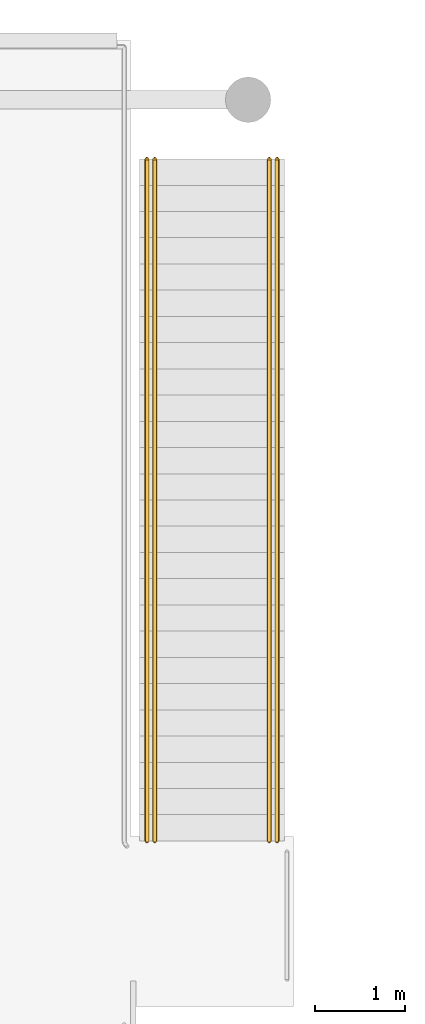
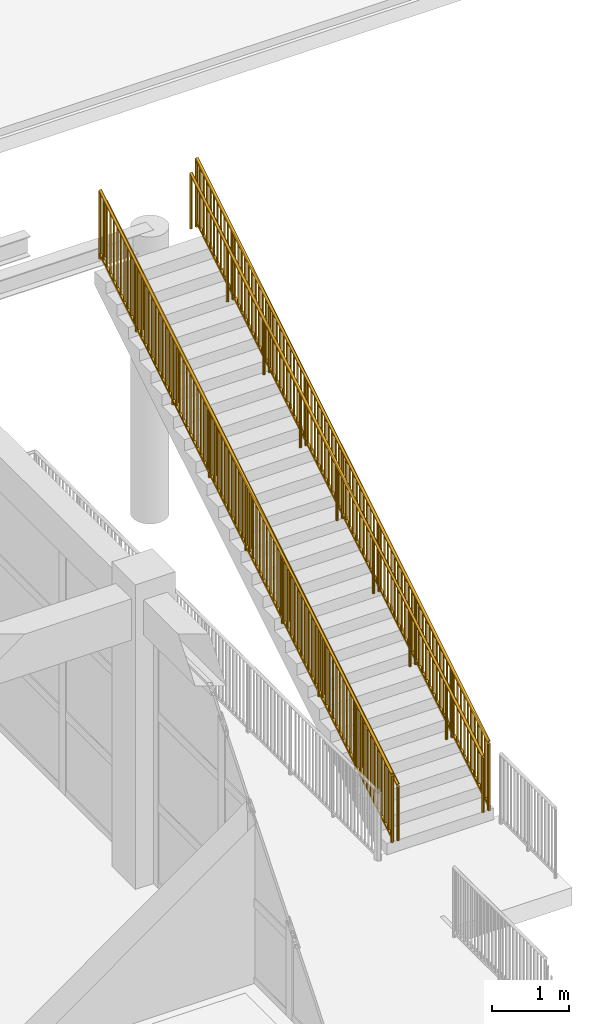
# One storey, part 49 of 50: 4 railings.
"""IFC4 building model written with IfcOpenShell, lengths in metres."""

from ifc_helpers import new_model, si_unit, direction, frame, origin, origin_2d, place, context, subcontext, project, spatial, rectangle, circle, extrude, material, type_object, element, save


model = new_model("IFC4")

# Units and contexts
model_context = context("Model", 3, precision=1e-05, world=origin(), true_north=direction((0.0, 1.0)))
body_context = subcontext(model_context, "Body", "Model", "MODEL_VIEW")
ifc_project = project(units=[si_unit("LENGTHUNIT", "METRE"), si_unit("AREAUNIT", "SQUARE_METRE"), si_unit("VOLUMEUNIT", "CUBIC_METRE"), si_unit("PLANEANGLEUNIT", "RADIAN"), si_unit("MASSUNIT", "GRAM", prefix="KILO")], contexts=[model_context])

# Site, building, storey
site_placement = place(None, origin())
site = spatial("IfcSite", under=ifc_project, at=site_placement, CompositionType="ELEMENT")
building_placement = place(site_placement, origin())
building = spatial("IfcBuilding", under=site, at=building_placement, Name="Zantavel Square City Hall", CompositionType="ELEMENT")
storey_placement = place(building_placement, frame((0.0, 0.0, 18.89990234375)))
storey = spatial("IfcBuildingStorey", under=building, at=storey_placement, Name="L05", CompositionType="ELEMENT", Elevation=18.89990234375)

# Railings
ifc_material_1 = material(Name="Steel ASTM A500 Grade B", Category="steel")
railing_type_1 = type_object("IfcRailingType", Name="Classical Stone & Steel Terrace Balustrade 1100mm", PredefinedType="BALUSTRADE", material=ifc_material_1)
railing_1_placement = place(storey_placement, frame((114.97998046875, 59.550048828125, 0.177978515625)))
element("IfcRailing", 1, at=railing_1_placement, inside=storey, type_object=railing_type_1, Name="Outdoor Stair ST-TR3 Balustered Guard L", PredefinedType="BALUSTRADE", context=body_context, shape_type="SweptSolid", body=[
    extrude(circle(Radius=0.02392578125, at=origin_2d()), frame((0.0, 0.0, 1.076171875), z_axis=(0.0, 0.852563162301, 0.522624199867), x_axis=(-1.0, 0.0, 0.0)), (0.0, 0.0, 1.0), 8.843994140625),
    extrude(rectangle(XDim=0.031982421875, YDim=0.031982421875, at=origin_2d()), frame((0.0, 0.0, 0.080078125), z_axis=(0.0, 0.852563162301, 0.522624199867), x_axis=(-1.0, 0.0, 0.0)), (0.0, 0.0, 1.0), 8.843994140625),
    extrude(rectangle(XDim=0.02197265625, YDim=0.02197265625, at=origin_2d()), frame((0.0, 0.08984375, 0.135009765625)), (0.0, 0.0, 1.0), 0.971923828125),
    extrude(rectangle(XDim=0.02197265625, YDim=0.02197265625, at=origin_2d()), frame((0.0, 0.179443359375, 0.18994140625)), (0.0, 0.0, 1.0), 0.971923828125),
    extrude(rectangle(XDim=0.02197265625, YDim=0.02197265625, at=origin_2d()), frame((0.0, 0.269287109375, 0.2451171875)), (0.0, 0.0, 1.0), 0.971923828125),
    extrude(rectangle(XDim=0.02197265625, YDim=0.02197265625, at=origin_2d()), frame((0.0, 0.359130859375, 0.300048828125)), (0.0, 0.0, 1.0), 0.971923828125),
    extrude(rectangle(XDim=0.02197265625, YDim=0.02197265625, at=origin_2d()), frame((0.0, 0.44873046875, 0.355224609375)), (0.0, 0.0, 1.0), 0.971923828125),
    extrude(rectangle(XDim=0.02197265625, YDim=0.02197265625, at=origin_2d()), frame((0.0, 0.53857421875, 0.41015625)), (0.0, 0.0, 1.0), 0.971923828125),
    extrude(rectangle(XDim=0.02197265625, YDim=0.02197265625, at=origin_2d()), frame((0.0, 0.62841796875, 0.465087890625)), (0.0, 0.0, 1.0), 0.971923828125),
    extrude(rectangle(XDim=0.02197265625, YDim=0.02197265625, at=origin_2d()), frame((0.0, 0.718017578125, 0.520263671875)), (0.0, 0.0, 1.0), 0.971923828125),
    extrude(rectangle(XDim=0.02197265625, YDim=0.02197265625, at=origin_2d()), frame((0.0, 0.807861328125, 0.5751953125)), (0.0, 0.0, 1.0), 0.971923828125),
    extrude(rectangle(XDim=0.02197265625, YDim=0.02197265625, at=origin_2d()), frame((0.0, 0.897705078125, 0.630126953125)), (0.0, 0.0, 1.0), 0.971923828125),
    extrude(rectangle(XDim=0.02197265625, YDim=0.02197265625, at=origin_2d()), frame((0.0, 0.9873046875, 0.685302734375)), (0.0, 0.0, 1.0), 0.971923828125),
    extrude(rectangle(XDim=0.02197265625, YDim=0.02197265625, at=origin_2d()), frame((0.0, 1.0771484375, 0.740234375)), (0.0, 0.0, 1.0), 0.971923828125),
    extrude(rectangle(XDim=0.02197265625, YDim=0.02197265625, at=origin_2d()), frame((0.0, 1.1669921875, 0.79541015625)), (0.0, 0.0, 1.0), 0.971923828125),
    extrude(rectangle(XDim=0.02197265625, YDim=0.02197265625, at=origin_2d()), frame((0.0, 1.256591796875, 0.850341796875)), (0.0, 0.0, 1.0), 0.971923828125),
    extrude(rectangle(XDim=0.02197265625, YDim=0.02197265625, at=origin_2d()), frame((0.0, 1.346435546875, 0.9052734375)), (0.0, 0.0, 1.0), 0.971923828125),
    extrude(rectangle(XDim=0.02197265625, YDim=0.02197265625, at=origin_2d()), frame((0.0, 1.436279296875, 0.96044921875)), (0.0, 0.0, 1.0), 0.971923828125),
    extrude(rectangle(XDim=0.02197265625, YDim=0.02197265625, at=origin_2d()), frame((0.0, 1.52587890625, 1.015380859375)), (0.0, 0.0, 1.0), 0.971923828125),
    extrude(rectangle(XDim=0.02197265625, YDim=0.02197265625, at=origin_2d()), frame((0.0, 1.61572265625, 1.070556640625)), (0.0, 0.0, 1.0), 0.971923828125),
    extrude(rectangle(XDim=0.02197265625, YDim=0.02197265625, at=origin_2d()), frame((0.0, 1.70556640625, 1.12548828125)), (0.0, 0.0, 1.0), 0.971923828125),
    extrude(rectangle(XDim=0.02197265625, YDim=0.02197265625, at=origin_2d()), frame((0.0, 1.795166015625, 1.180419921875)), (0.0, 0.0, 1.0), 0.971923828125),
    extrude(rectangle(XDim=0.02197265625, YDim=0.02197265625, at=origin_2d()), frame((0.0, 1.974853515625, 1.29052734375)), (0.0, 0.0, 1.0), 0.971923828125),
    extrude(rectangle(XDim=0.02197265625, YDim=0.02197265625, at=origin_2d()), frame((0.0, 2.064453125, 1.345458984375)), (0.0, 0.0, 1.0), 0.971923828125),
    extrude(rectangle(XDim=0.02197265625, YDim=0.02197265625, at=origin_2d()), frame((0.0, 2.154296875, 1.400634765625)), (0.0, 0.0, 1.0), 0.971923828125),
    extrude(rectangle(XDim=0.02197265625, YDim=0.02197265625, at=origin_2d()), frame((0.0, 2.244140625, 1.45556640625)), (0.0, 0.0, 1.0), 0.971923828125),
    extrude(rectangle(XDim=0.02197265625, YDim=0.02197265625, at=origin_2d()), frame((0.0, 2.333740234375, 1.5107421875)), (0.0, 0.0, 1.0), 0.971923828125),
    extrude(rectangle(XDim=0.02197265625, YDim=0.02197265625, at=origin_2d()), frame((0.0, 2.423583984375, 1.565673828125)), (0.0, 0.0, 1.0), 0.971923828125),
    extrude(rectangle(XDim=0.02197265625, YDim=0.02197265625, at=origin_2d()), frame((0.0, 2.513427734375, 1.62060546875)), (0.0, 0.0, 1.0), 0.971923828125),
    extrude(rectangle(XDim=0.02197265625, YDim=0.02197265625, at=origin_2d()), frame((0.0, 2.60302734375, 1.67578125)), (0.0, 0.0, 1.0), 0.971923828125),
    extrude(rectangle(XDim=0.02197265625, YDim=0.02197265625, at=origin_2d()), frame((0.0, 2.69287109375, 1.730712890625)), (0.0, 0.0, 1.0), 0.971923828125),
    extrude(rectangle(XDim=0.02197265625, YDim=0.02197265625, at=origin_2d()), frame((0.0, 2.78271484375, 1.78564453125)), (0.0, 0.0, 1.0), 0.971923828125),
    extrude(rectangle(XDim=0.02197265625, YDim=0.02197265625, at=origin_2d()), frame((0.0, 2.872314453125, 1.8408203125)), (0.0, 0.0, 1.0), 0.971923828125),
    extrude(rectangle(XDim=0.02197265625, YDim=0.02197265625, at=origin_2d()), frame((0.0, 2.962158203125, 1.895751953125)), (0.0, 0.0, 1.0), 0.971923828125),
    extrude(rectangle(XDim=0.02197265625, YDim=0.02197265625, at=origin_2d()), frame((0.0, 3.052001953125, 1.950927734375)), (0.0, 0.0, 1.0), 0.971923828125),
    extrude(rectangle(XDim=0.02197265625, YDim=0.02197265625, at=origin_2d()), frame((0.0, 3.1416015625, 2.005859375)), (0.0, 0.0, 1.0), 0.971923828125),
    extrude(rectangle(XDim=0.02197265625, YDim=0.02197265625, at=origin_2d()), frame((0.0, 3.2314453125, 2.060791015625)), (0.0, 0.0, 1.0), 0.971923828125),
    extrude(rectangle(XDim=0.02197265625, YDim=0.02197265625, at=origin_2d()), frame((0.0, 3.3212890625, 2.115966796875)), (0.0, 0.0, 1.0), 0.971923828125),
    extrude(rectangle(XDim=0.02197265625, YDim=0.02197265625, at=origin_2d()), frame((0.0, 3.410888671875, 2.1708984375)), (0.0, 0.0, 1.0), 0.971923828125),
    extrude(rectangle(XDim=0.02197265625, YDim=0.02197265625, at=origin_2d()), frame((0.0, 3.500732421875, 2.22607421875)), (0.0, 0.0, 1.0), 0.971923828125),
    extrude(rectangle(XDim=0.02197265625, YDim=0.02197265625, at=origin_2d()), frame((0.0, 3.590576171875, 2.281005859375)), (0.0, 0.0, 1.0), 0.971923828125),
    extrude(rectangle(XDim=0.02197265625, YDim=0.02197265625, at=origin_2d()), frame((0.0, 3.68017578125, 2.3359375)), (0.0, 0.0, 1.0), 0.971923828125),
    extrude(rectangle(XDim=0.02197265625, YDim=0.02197265625, at=origin_2d()), frame((0.0, 3.85986328125, 2.446044921875)), (0.0, 0.0, 1.0), 0.971923828125),
    extrude(rectangle(XDim=0.02197265625, YDim=0.02197265625, at=origin_2d()), frame((0.0, 3.949462890625, 2.5009765625)), (0.0, 0.0, 1.0), 0.971923828125),
    extrude(rectangle(XDim=0.02197265625, YDim=0.02197265625, at=origin_2d()), frame((0.0, 4.039306640625, 2.55615234375)), (0.0, 0.0, 1.0), 0.971923828125),
    extrude(rectangle(XDim=0.02197265625, YDim=0.02197265625, at=origin_2d()), frame((0.0, 4.129150390625, 2.611083984375)), (0.0, 0.0, 1.0), 0.971923828125),
    extrude(rectangle(XDim=0.02197265625, YDim=0.02197265625, at=origin_2d()), frame((0.0, 4.21875, 2.666259765625)), (0.0, 0.0, 1.0), 0.971923828125),
    extrude(rectangle(XDim=0.02197265625, YDim=0.02197265625, at=origin_2d()), frame((0.0, 4.30859375, 2.72119140625)), (0.0, 0.0, 1.0), 0.971923828125),
    extrude(rectangle(XDim=0.02197265625, YDim=0.02197265625, at=origin_2d()), frame((0.0, 4.3984375, 2.776123046875)), (0.0, 0.0, 1.0), 0.971923828125),
    extrude(rectangle(XDim=0.02197265625, YDim=0.02197265625, at=origin_2d()), frame((0.0, 4.488037109375, 2.831298828125)), (0.0, 0.0, 1.0), 0.971923828125),
    extrude(rectangle(XDim=0.02197265625, YDim=0.02197265625, at=origin_2d()), frame((0.0, 4.577880859375, 2.88623046875)), (0.0, 0.0, 1.0), 0.971923828125),
    extrude(rectangle(XDim=0.02197265625, YDim=0.02197265625, at=origin_2d()), frame((0.0, 4.667724609375, 2.941162109375)), (0.0, 0.0, 1.0), 0.971923828125),
    extrude(rectangle(XDim=0.02197265625, YDim=0.02197265625, at=origin_2d()), frame((0.0, 4.75732421875, 2.996337890625)), (0.0, 0.0, 1.0), 0.971923828125),
    extrude(rectangle(XDim=0.02197265625, YDim=0.02197265625, at=origin_2d()), frame((0.0, 4.84716796875, 3.05126953125)), (0.0, 0.0, 1.0), 0.971923828125),
    extrude(rectangle(XDim=0.02197265625, YDim=0.02197265625, at=origin_2d()), frame((0.0, 4.93701171875, 3.1064453125)), (0.0, 0.0, 1.0), 0.971923828125),
    extrude(rectangle(XDim=0.02197265625, YDim=0.02197265625, at=origin_2d()), frame((0.0, 5.026611328125, 3.161376953125)), (0.0, 0.0, 1.0), 0.971923828125),
    extrude(rectangle(XDim=0.02197265625, YDim=0.02197265625, at=origin_2d()), frame((0.0, 5.116455078125, 3.21630859375)), (0.0, 0.0, 1.0), 0.971923828125),
    extrude(rectangle(XDim=0.02197265625, YDim=0.02197265625, at=origin_2d()), frame((0.0, 5.206298828125, 3.271484375)), (0.0, 0.0, 1.0), 0.971923828125),
    extrude(rectangle(XDim=0.02197265625, YDim=0.02197265625, at=origin_2d()), frame((0.0, 5.2958984375, 3.326416015625)), (0.0, 0.0, 1.0), 0.971923828125),
    extrude(rectangle(XDim=0.02197265625, YDim=0.02197265625, at=origin_2d()), frame((0.0, 5.3857421875, 3.381591796875)), (0.0, 0.0, 1.0), 0.971923828125),
    extrude(rectangle(XDim=0.02197265625, YDim=0.02197265625, at=origin_2d()), frame((0.0, 5.4755859375, 3.4365234375)), (0.0, 0.0, 1.0), 0.971923828125),
    extrude(rectangle(XDim=0.02197265625, YDim=0.02197265625, at=origin_2d()), frame((0.0, 5.565185546875, 3.491455078125)), (0.0, 0.0, 1.0), 0.971923828125),
    extrude(rectangle(XDim=0.02197265625, YDim=0.02197265625, at=origin_2d()), frame((0.0, 5.744873046875, 3.6015625)), (0.0, 0.0, 1.0), 0.971923828125),
    extrude(rectangle(XDim=0.02197265625, YDim=0.02197265625, at=origin_2d()), frame((0.0, 5.83447265625, 3.656494140625)), (0.0, 0.0, 1.0), 0.971923828125),
    extrude(rectangle(XDim=0.02197265625, YDim=0.02197265625, at=origin_2d()), frame((0.0, 5.92431640625, 3.711669921875)), (0.0, 0.0, 1.0), 0.971923828125),
    extrude(rectangle(XDim=0.02197265625, YDim=0.02197265625, at=origin_2d()), frame((0.0, 6.01416015625, 3.7666015625)), (0.0, 0.0, 1.0), 0.971923828125),
    extrude(rectangle(XDim=0.02197265625, YDim=0.02197265625, at=origin_2d()), frame((0.0, 6.103759765625, 3.82177734375)), (0.0, 0.0, 1.0), 0.971923828125),
    extrude(rectangle(XDim=0.02197265625, YDim=0.02197265625, at=origin_2d()), frame((0.0, 6.193603515625, 3.876708984375)), (0.0, 0.0, 1.0), 0.971923828125),
    extrude(rectangle(XDim=0.02197265625, YDim=0.02197265625, at=origin_2d()), frame((0.0, 6.283447265625, 3.931640625)), (0.0, 0.0, 1.0), 0.971923828125),
    extrude(rectangle(XDim=0.02197265625, YDim=0.02197265625, at=origin_2d()), frame((0.0, 6.373046875, 3.98681640625)), (0.0, 0.0, 1.0), 0.971923828125),
    extrude(rectangle(XDim=0.02197265625, YDim=0.02197265625, at=origin_2d()), frame((0.0, 6.462890625, 4.041748046875)), (0.0, 0.0, 1.0), 0.971923828125),
    extrude(rectangle(XDim=0.02197265625, YDim=0.02197265625, at=origin_2d()), frame((0.0, 6.552734375, 4.0966796875)), (0.0, 0.0, 1.0), 0.971923828125),
    extrude(rectangle(XDim=0.02197265625, YDim=0.02197265625, at=origin_2d()), frame((0.0, 6.642333984375, 4.15185546875)), (0.0, 0.0, 1.0), 0.971923828125),
    extrude(rectangle(XDim=0.02197265625, YDim=0.02197265625, at=origin_2d()), frame((0.0, 6.732177734375, 4.206787109375)), (0.0, 0.0, 1.0), 0.971923828125),
    extrude(rectangle(XDim=0.02197265625, YDim=0.02197265625, at=origin_2d()), frame((0.0, 6.822021484375, 4.261962890625)), (0.0, 0.0, 1.0), 0.971923828125),
    extrude(rectangle(XDim=0.02197265625, YDim=0.02197265625, at=origin_2d()), frame((0.0, 6.91162109375, 4.31689453125)), (0.0, 0.0, 1.0), 0.971923828125),
    extrude(rectangle(XDim=0.02197265625, YDim=0.02197265625, at=origin_2d()), frame((0.0, 7.00146484375, 4.371826171875)), (0.0, 0.0, 1.0), 0.971923828125),
    extrude(rectangle(XDim=0.02197265625, YDim=0.02197265625, at=origin_2d()), frame((0.0, 7.09130859375, 4.427001953125)), (0.0, 0.0, 1.0), 0.971923828125),
    extrude(rectangle(XDim=0.02197265625, YDim=0.02197265625, at=origin_2d()), frame((0.0, 7.180908203125, 4.48193359375)), (0.0, 0.0, 1.0), 0.971923828125),
    extrude(rectangle(XDim=0.02197265625, YDim=0.02197265625, at=origin_2d()), frame((0.0, 7.270751953125, 4.537109375)), (0.0, 0.0, 1.0), 0.971923828125),
    extrude(rectangle(XDim=0.02197265625, YDim=0.02197265625, at=origin_2d()), frame((0.0, 7.360595703125, 4.592041015625)), (0.0, 0.0, 1.0), 0.971923828125),
    extrude(rectangle(XDim=0.02197265625, YDim=0.02197265625, at=origin_2d()), frame((0.0, 7.4501953125, 4.64697265625)), (0.0, 0.0, 1.0), 0.971923828125),
    extrude(circle(Radius=0.02099609375, at=origin_2d()), origin(), (0.0, 0.0, 1.0), 1.052001953125),
    extrude(circle(Radius=0.02099609375, at=origin_2d()), frame((0.0, 0.9423828125, 0.57763671875)), (0.0, 0.0, 1.0), 1.052001953125),
    extrude(circle(Radius=0.02099609375, at=origin_2d()), frame((0.0, 1.885009765625, 1.155517578125)), (0.0, 0.0, 1.0), 1.052001953125),
    extrude(circle(Radius=0.02099609375, at=origin_2d()), frame((0.0, 2.82763671875, 1.7333984375)), (0.0, 0.0, 1.0), 1.052001953125),
    extrude(circle(Radius=0.02099609375, at=origin_2d()), frame((0.0, 3.77001953125, 2.31103515625)), (0.0, 0.0, 1.0), 1.052001953125),
    extrude(circle(Radius=0.02099609375, at=origin_2d()), frame((0.0, 4.71240234375, 2.888671875)), (0.0, 0.0, 1.0), 1.052001953125),
    extrude(circle(Radius=0.02099609375, at=origin_2d()), frame((0.0, 5.655029296875, 3.466552734375)), (0.0, 0.0, 1.0), 1.052001953125),
    extrude(circle(Radius=0.02099609375, at=origin_2d()), frame((0.0, 6.59765625, 4.04443359375)), (0.0, 0.0, 1.0), 1.052001953125),
    extrude(circle(Radius=0.02099609375, at=origin_2d()), frame((0.0, 7.5400390625, 4.6220703125)), (0.0, 0.0, 1.0), 1.052001953125),
])
railing_2_placement = place(storey_placement, frame((116.419921875, 59.550048828125, 0.177978515625)))
element("IfcRailing", 2, at=railing_2_placement, inside=storey, type_object=railing_type_1, Name="Outdoor Stair ST-TR3 Balustered Guard R", PredefinedType="BALUSTRADE", context=body_context, shape_type="SweptSolid", body=[
    extrude(circle(Radius=0.02392578125, at=origin_2d()), frame((0.0, 0.0, 1.076171875), z_axis=(0.0, 0.852563162301, 0.522624199867), x_axis=(-1.0, 0.0, 0.0)), (0.0, 0.0, 1.0), 8.843994140625),
    extrude(rectangle(XDim=0.031982421875, YDim=0.031982421875, at=origin_2d()), frame((0.0, 0.0, 0.080078125), z_axis=(0.0, 0.852563162301, 0.522624199867), x_axis=(-1.0, 0.0, 0.0)), (0.0, 0.0, 1.0), 8.843994140625),
    extrude(rectangle(XDim=0.02197265625, YDim=0.02197265625, at=origin_2d()), frame((0.0, 0.08984375, 0.135009765625)), (0.0, 0.0, 1.0), 0.971923828125),
    extrude(rectangle(XDim=0.02197265625, YDim=0.02197265625, at=origin_2d()), frame((0.0, 0.179443359375, 0.18994140625)), (0.0, 0.0, 1.0), 0.971923828125),
    extrude(rectangle(XDim=0.02197265625, YDim=0.02197265625, at=origin_2d()), frame((0.0, 0.269287109375, 0.2451171875)), (0.0, 0.0, 1.0), 0.971923828125),
    extrude(rectangle(XDim=0.02197265625, YDim=0.02197265625, at=origin_2d()), frame((0.0, 0.359130859375, 0.300048828125)), (0.0, 0.0, 1.0), 0.971923828125),
    extrude(rectangle(XDim=0.02197265625, YDim=0.02197265625, at=origin_2d()), frame((0.0, 0.44873046875, 0.355224609375)), (0.0, 0.0, 1.0), 0.971923828125),
    extrude(rectangle(XDim=0.02197265625, YDim=0.02197265625, at=origin_2d()), frame((0.0, 0.53857421875, 0.41015625)), (0.0, 0.0, 1.0), 0.971923828125),
    extrude(rectangle(XDim=0.02197265625, YDim=0.02197265625, at=origin_2d()), frame((0.0, 0.62841796875, 0.465087890625)), (0.0, 0.0, 1.0), 0.971923828125),
    extrude(rectangle(XDim=0.02197265625, YDim=0.02197265625, at=origin_2d()), frame((0.0, 0.718017578125, 0.520263671875)), (0.0, 0.0, 1.0), 0.971923828125),
    extrude(rectangle(XDim=0.02197265625, YDim=0.02197265625, at=origin_2d()), frame((0.0, 0.807861328125, 0.5751953125)), (0.0, 0.0, 1.0), 0.971923828125),
    extrude(rectangle(XDim=0.02197265625, YDim=0.02197265625, at=origin_2d()), frame((0.0, 0.897705078125, 0.630126953125)), (0.0, 0.0, 1.0), 0.971923828125),
    extrude(rectangle(XDim=0.02197265625, YDim=0.02197265625, at=origin_2d()), frame((0.0, 0.9873046875, 0.685302734375)), (0.0, 0.0, 1.0), 0.971923828125),
    extrude(rectangle(XDim=0.02197265625, YDim=0.02197265625, at=origin_2d()), frame((0.0, 1.0771484375, 0.740234375)), (0.0, 0.0, 1.0), 0.971923828125),
    extrude(rectangle(XDim=0.02197265625, YDim=0.02197265625, at=origin_2d()), frame((0.0, 1.1669921875, 0.79541015625)), (0.0, 0.0, 1.0), 0.971923828125),
    extrude(rectangle(XDim=0.02197265625, YDim=0.02197265625, at=origin_2d()), frame((0.0, 1.256591796875, 0.850341796875)), (0.0, 0.0, 1.0), 0.971923828125),
    extrude(rectangle(XDim=0.02197265625, YDim=0.02197265625, at=origin_2d()), frame((0.0, 1.346435546875, 0.9052734375)), (0.0, 0.0, 1.0), 0.971923828125),
    extrude(rectangle(XDim=0.02197265625, YDim=0.02197265625, at=origin_2d()), frame((0.0, 1.436279296875, 0.96044921875)), (0.0, 0.0, 1.0), 0.971923828125),
    extrude(rectangle(XDim=0.02197265625, YDim=0.02197265625, at=origin_2d()), frame((0.0, 1.52587890625, 1.015380859375)), (0.0, 0.0, 1.0), 0.971923828125),
    extrude(rectangle(XDim=0.02197265625, YDim=0.02197265625, at=origin_2d()), frame((0.0, 1.61572265625, 1.070556640625)), (0.0, 0.0, 1.0), 0.971923828125),
    extrude(rectangle(XDim=0.02197265625, YDim=0.02197265625, at=origin_2d()), frame((0.0, 1.70556640625, 1.12548828125)), (0.0, 0.0, 1.0), 0.971923828125),
    extrude(rectangle(XDim=0.02197265625, YDim=0.02197265625, at=origin_2d()), frame((0.0, 1.795166015625, 1.180419921875)), (0.0, 0.0, 1.0), 0.971923828125),
    extrude(rectangle(XDim=0.02197265625, YDim=0.02197265625, at=origin_2d()), frame((0.0, 1.974853515625, 1.29052734375)), (0.0, 0.0, 1.0), 0.971923828125),
    extrude(rectangle(XDim=0.02197265625, YDim=0.02197265625, at=origin_2d()), frame((0.0, 2.064453125, 1.345458984375)), (0.0, 0.0, 1.0), 0.971923828125),
    extrude(rectangle(XDim=0.02197265625, YDim=0.02197265625, at=origin_2d()), frame((0.0, 2.154296875, 1.400634765625)), (0.0, 0.0, 1.0), 0.971923828125),
    extrude(rectangle(XDim=0.02197265625, YDim=0.02197265625, at=origin_2d()), frame((0.0, 2.244140625, 1.45556640625)), (0.0, 0.0, 1.0), 0.971923828125),
    extrude(rectangle(XDim=0.02197265625, YDim=0.02197265625, at=origin_2d()), frame((0.0, 2.333740234375, 1.5107421875)), (0.0, 0.0, 1.0), 0.971923828125),
    extrude(rectangle(XDim=0.02197265625, YDim=0.02197265625, at=origin_2d()), frame((0.0, 2.423583984375, 1.565673828125)), (0.0, 0.0, 1.0), 0.971923828125),
    extrude(rectangle(XDim=0.02197265625, YDim=0.02197265625, at=origin_2d()), frame((0.0, 2.513427734375, 1.62060546875)), (0.0, 0.0, 1.0), 0.971923828125),
    extrude(rectangle(XDim=0.02197265625, YDim=0.02197265625, at=origin_2d()), frame((0.0, 2.60302734375, 1.67578125)), (0.0, 0.0, 1.0), 0.971923828125),
    extrude(rectangle(XDim=0.02197265625, YDim=0.02197265625, at=origin_2d()), frame((0.0, 2.69287109375, 1.730712890625)), (0.0, 0.0, 1.0), 0.971923828125),
    extrude(rectangle(XDim=0.02197265625, YDim=0.02197265625, at=origin_2d()), frame((0.0, 2.78271484375, 1.78564453125)), (0.0, 0.0, 1.0), 0.971923828125),
    extrude(rectangle(XDim=0.02197265625, YDim=0.02197265625, at=origin_2d()), frame((0.0, 2.872314453125, 1.8408203125)), (0.0, 0.0, 1.0), 0.971923828125),
    extrude(rectangle(XDim=0.02197265625, YDim=0.02197265625, at=origin_2d()), frame((0.0, 2.962158203125, 1.895751953125)), (0.0, 0.0, 1.0), 0.971923828125),
    extrude(rectangle(XDim=0.02197265625, YDim=0.02197265625, at=origin_2d()), frame((0.0, 3.052001953125, 1.950927734375)), (0.0, 0.0, 1.0), 0.971923828125),
    extrude(rectangle(XDim=0.02197265625, YDim=0.02197265625, at=origin_2d()), frame((0.0, 3.1416015625, 2.005859375)), (0.0, 0.0, 1.0), 0.971923828125),
    extrude(rectangle(XDim=0.02197265625, YDim=0.02197265625, at=origin_2d()), frame((0.0, 3.2314453125, 2.060791015625)), (0.0, 0.0, 1.0), 0.971923828125),
    extrude(rectangle(XDim=0.02197265625, YDim=0.02197265625, at=origin_2d()), frame((0.0, 3.3212890625, 2.115966796875)), (0.0, 0.0, 1.0), 0.971923828125),
    extrude(rectangle(XDim=0.02197265625, YDim=0.02197265625, at=origin_2d()), frame((0.0, 3.410888671875, 2.1708984375)), (0.0, 0.0, 1.0), 0.971923828125),
    extrude(rectangle(XDim=0.02197265625, YDim=0.02197265625, at=origin_2d()), frame((0.0, 3.500732421875, 2.22607421875)), (0.0, 0.0, 1.0), 0.971923828125),
    extrude(rectangle(XDim=0.02197265625, YDim=0.02197265625, at=origin_2d()), frame((0.0, 3.590576171875, 2.281005859375)), (0.0, 0.0, 1.0), 0.971923828125),
    extrude(rectangle(XDim=0.02197265625, YDim=0.02197265625, at=origin_2d()), frame((0.0, 3.68017578125, 2.3359375)), (0.0, 0.0, 1.0), 0.971923828125),
    extrude(rectangle(XDim=0.02197265625, YDim=0.02197265625, at=origin_2d()), frame((0.0, 3.85986328125, 2.446044921875)), (0.0, 0.0, 1.0), 0.971923828125),
    extrude(rectangle(XDim=0.02197265625, YDim=0.02197265625, at=origin_2d()), frame((0.0, 3.949462890625, 2.5009765625)), (0.0, 0.0, 1.0), 0.971923828125),
    extrude(rectangle(XDim=0.02197265625, YDim=0.02197265625, at=origin_2d()), frame((0.0, 4.039306640625, 2.55615234375)), (0.0, 0.0, 1.0), 0.971923828125),
    extrude(rectangle(XDim=0.02197265625, YDim=0.02197265625, at=origin_2d()), frame((0.0, 4.129150390625, 2.611083984375)), (0.0, 0.0, 1.0), 0.971923828125),
    extrude(rectangle(XDim=0.02197265625, YDim=0.02197265625, at=origin_2d()), frame((0.0, 4.21875, 2.666259765625)), (0.0, 0.0, 1.0), 0.971923828125),
    extrude(rectangle(XDim=0.02197265625, YDim=0.02197265625, at=origin_2d()), frame((0.0, 4.30859375, 2.72119140625)), (0.0, 0.0, 1.0), 0.971923828125),
    extrude(rectangle(XDim=0.02197265625, YDim=0.02197265625, at=origin_2d()), frame((0.0, 4.3984375, 2.776123046875)), (0.0, 0.0, 1.0), 0.971923828125),
    extrude(rectangle(XDim=0.02197265625, YDim=0.02197265625, at=origin_2d()), frame((0.0, 4.488037109375, 2.831298828125)), (0.0, 0.0, 1.0), 0.971923828125),
    extrude(rectangle(XDim=0.02197265625, YDim=0.02197265625, at=origin_2d()), frame((0.0, 4.577880859375, 2.88623046875)), (0.0, 0.0, 1.0), 0.971923828125),
    extrude(rectangle(XDim=0.02197265625, YDim=0.02197265625, at=origin_2d()), frame((0.0, 4.667724609375, 2.941162109375)), (0.0, 0.0, 1.0), 0.971923828125),
    extrude(rectangle(XDim=0.02197265625, YDim=0.02197265625, at=origin_2d()), frame((0.0, 4.75732421875, 2.996337890625)), (0.0, 0.0, 1.0), 0.971923828125),
    extrude(rectangle(XDim=0.02197265625, YDim=0.02197265625, at=origin_2d()), frame((0.0, 4.84716796875, 3.05126953125)), (0.0, 0.0, 1.0), 0.971923828125),
    extrude(rectangle(XDim=0.02197265625, YDim=0.02197265625, at=origin_2d()), frame((0.0, 4.93701171875, 3.1064453125)), (0.0, 0.0, 1.0), 0.971923828125),
    extrude(rectangle(XDim=0.02197265625, YDim=0.02197265625, at=origin_2d()), frame((0.0, 5.026611328125, 3.161376953125)), (0.0, 0.0, 1.0), 0.971923828125),
    extrude(rectangle(XDim=0.02197265625, YDim=0.02197265625, at=origin_2d()), frame((0.0, 5.116455078125, 3.21630859375)), (0.0, 0.0, 1.0), 0.971923828125),
    extrude(rectangle(XDim=0.02197265625, YDim=0.02197265625, at=origin_2d()), frame((0.0, 5.206298828125, 3.271484375)), (0.0, 0.0, 1.0), 0.971923828125),
    extrude(rectangle(XDim=0.02197265625, YDim=0.02197265625, at=origin_2d()), frame((0.0, 5.2958984375, 3.326416015625)), (0.0, 0.0, 1.0), 0.971923828125),
    extrude(rectangle(XDim=0.02197265625, YDim=0.02197265625, at=origin_2d()), frame((0.0, 5.3857421875, 3.381591796875)), (0.0, 0.0, 1.0), 0.971923828125),
    extrude(rectangle(XDim=0.02197265625, YDim=0.02197265625, at=origin_2d()), frame((0.0, 5.4755859375, 3.4365234375)), (0.0, 0.0, 1.0), 0.971923828125),
    extrude(rectangle(XDim=0.02197265625, YDim=0.02197265625, at=origin_2d()), frame((0.0, 5.565185546875, 3.491455078125)), (0.0, 0.0, 1.0), 0.971923828125),
    extrude(rectangle(XDim=0.02197265625, YDim=0.02197265625, at=origin_2d()), frame((0.0, 5.744873046875, 3.6015625)), (0.0, 0.0, 1.0), 0.971923828125),
    extrude(rectangle(XDim=0.02197265625, YDim=0.02197265625, at=origin_2d()), frame((0.0, 5.83447265625, 3.656494140625)), (0.0, 0.0, 1.0), 0.971923828125),
    extrude(rectangle(XDim=0.02197265625, YDim=0.02197265625, at=origin_2d()), frame((0.0, 5.92431640625, 3.711669921875)), (0.0, 0.0, 1.0), 0.971923828125),
    extrude(rectangle(XDim=0.02197265625, YDim=0.02197265625, at=origin_2d()), frame((0.0, 6.01416015625, 3.7666015625)), (0.0, 0.0, 1.0), 0.971923828125),
    extrude(rectangle(XDim=0.02197265625, YDim=0.02197265625, at=origin_2d()), frame((0.0, 6.103759765625, 3.82177734375)), (0.0, 0.0, 1.0), 0.971923828125),
    extrude(rectangle(XDim=0.02197265625, YDim=0.02197265625, at=origin_2d()), frame((0.0, 6.193603515625, 3.876708984375)), (0.0, 0.0, 1.0), 0.971923828125),
    extrude(rectangle(XDim=0.02197265625, YDim=0.02197265625, at=origin_2d()), frame((0.0, 6.283447265625, 3.931640625)), (0.0, 0.0, 1.0), 0.971923828125),
    extrude(rectangle(XDim=0.02197265625, YDim=0.02197265625, at=origin_2d()), frame((0.0, 6.373046875, 3.98681640625)), (0.0, 0.0, 1.0), 0.971923828125),
    extrude(rectangle(XDim=0.02197265625, YDim=0.02197265625, at=origin_2d()), frame((0.0, 6.462890625, 4.041748046875)), (0.0, 0.0, 1.0), 0.971923828125),
    extrude(rectangle(XDim=0.02197265625, YDim=0.02197265625, at=origin_2d()), frame((0.0, 6.552734375, 4.0966796875)), (0.0, 0.0, 1.0), 0.971923828125),
    extrude(rectangle(XDim=0.02197265625, YDim=0.02197265625, at=origin_2d()), frame((0.0, 6.642333984375, 4.15185546875)), (0.0, 0.0, 1.0), 0.971923828125),
    extrude(rectangle(XDim=0.02197265625, YDim=0.02197265625, at=origin_2d()), frame((0.0, 6.732177734375, 4.206787109375)), (0.0, 0.0, 1.0), 0.971923828125),
    extrude(rectangle(XDim=0.02197265625, YDim=0.02197265625, at=origin_2d()), frame((0.0, 6.822021484375, 4.261962890625)), (0.0, 0.0, 1.0), 0.971923828125),
    extrude(rectangle(XDim=0.02197265625, YDim=0.02197265625, at=origin_2d()), frame((0.0, 6.91162109375, 4.31689453125)), (0.0, 0.0, 1.0), 0.971923828125),
    extrude(rectangle(XDim=0.02197265625, YDim=0.02197265625, at=origin_2d()), frame((0.0, 7.00146484375, 4.371826171875)), (0.0, 0.0, 1.0), 0.971923828125),
    extrude(rectangle(XDim=0.02197265625, YDim=0.02197265625, at=origin_2d()), frame((0.0, 7.09130859375, 4.427001953125)), (0.0, 0.0, 1.0), 0.971923828125),
    extrude(rectangle(XDim=0.02197265625, YDim=0.02197265625, at=origin_2d()), frame((0.0, 7.180908203125, 4.48193359375)), (0.0, 0.0, 1.0), 0.971923828125),
    extrude(rectangle(XDim=0.02197265625, YDim=0.02197265625, at=origin_2d()), frame((0.0, 7.270751953125, 4.537109375)), (0.0, 0.0, 1.0), 0.971923828125),
    extrude(rectangle(XDim=0.02197265625, YDim=0.02197265625, at=origin_2d()), frame((0.0, 7.360595703125, 4.592041015625)), (0.0, 0.0, 1.0), 0.971923828125),
    extrude(rectangle(XDim=0.02197265625, YDim=0.02197265625, at=origin_2d()), frame((0.0, 7.4501953125, 4.64697265625)), (0.0, 0.0, 1.0), 0.971923828125),
    extrude(circle(Radius=0.02099609375, at=origin_2d()), origin(), (0.0, 0.0, 1.0), 1.052001953125),
    extrude(circle(Radius=0.02099609375, at=origin_2d()), frame((0.0, 0.9423828125, 0.57763671875)), (0.0, 0.0, 1.0), 1.052001953125),
    extrude(circle(Radius=0.02099609375, at=origin_2d()), frame((0.0, 1.885009765625, 1.155517578125)), (0.0, 0.0, 1.0), 1.052001953125),
    extrude(circle(Radius=0.02099609375, at=origin_2d()), frame((0.0, 2.82763671875, 1.7333984375)), (0.0, 0.0, 1.0), 1.052001953125),
    extrude(circle(Radius=0.02099609375, at=origin_2d()), frame((0.0, 3.77001953125, 2.31103515625)), (0.0, 0.0, 1.0), 1.052001953125),
    extrude(circle(Radius=0.02099609375, at=origin_2d()), frame((0.0, 4.71240234375, 2.888671875)), (0.0, 0.0, 1.0), 1.052001953125),
    extrude(circle(Radius=0.02099609375, at=origin_2d()), frame((0.0, 5.655029296875, 3.466552734375)), (0.0, 0.0, 1.0), 1.052001953125),
    extrude(circle(Radius=0.02099609375, at=origin_2d()), frame((0.0, 6.59765625, 4.04443359375)), (0.0, 0.0, 1.0), 1.052001953125),
    extrude(circle(Radius=0.02099609375, at=origin_2d()), frame((0.0, 7.5400390625, 4.6220703125)), (0.0, 0.0, 1.0), 1.052001953125),
])
ifc_material_2 = material(Name="Stainless steel 316", Category="steel")
railing_type_2 = type_object("IfcRailingType", Name="Stair Stainless Steel Handrail 900mm", PredefinedType="HANDRAIL", material=ifc_material_2)
for number, where, name in (
    (3, (115.06640625, 59.550048828125, 0.177978515625), "Outdoor Stair ST-TR3 Handrail L"),
    (4, (116.33349609375, 59.550048828125, 0.177978515625), "Outdoor Stair ST-TR3 Handrail R"),
):
    element("IfcRailing", number, at=place(storey_placement, frame(where)), inside=storey, type_object=railing_type_2, Name=name, PredefinedType="HANDRAIL", context=body_context, shape_type="SweptSolid", body=[
        extrude(circle(Radius=0.02392578125, at=origin_2d()), frame((0.0, 0.0, 0.8759765625), z_axis=(0.0, 0.852563162301, 0.522624199867), x_axis=(-1.0, 0.0, 0.0)), (0.0, 0.0, 1.0), 8.843994140625),
        extrude(circle(Radius=0.02099609375, at=origin_2d()), origin(), (0.0, 0.0, 1.0), 0.851806640625),
        extrude(circle(Radius=0.02099609375, at=origin_2d()), frame((0.0, 0.9423828125, 0.57763671875)), (0.0, 0.0, 1.0), 0.851806640625),
        extrude(circle(Radius=0.02099609375, at=origin_2d()), frame((0.0, 1.885009765625, 1.155517578125)), (0.0, 0.0, 1.0), 0.851806640625),
        extrude(circle(Radius=0.02099609375, at=origin_2d()), frame((0.0, 2.82763671875, 1.7333984375)), (0.0, 0.0, 1.0), 0.851806640625),
        extrude(circle(Radius=0.02099609375, at=origin_2d()), frame((0.0, 3.77001953125, 2.31103515625)), (0.0, 0.0, 1.0), 0.851806640625),
        extrude(circle(Radius=0.02099609375, at=origin_2d()), frame((0.0, 4.71240234375, 2.888671875)), (0.0, 0.0, 1.0), 0.851806640625),
        extrude(circle(Radius=0.02099609375, at=origin_2d()), frame((0.0, 5.655029296875, 3.466552734375)), (0.0, 0.0, 1.0), 0.851806640625),
        extrude(circle(Radius=0.02099609375, at=origin_2d()), frame((0.0, 6.59765625, 4.04443359375)), (0.0, 0.0, 1.0), 0.851806640625),
        extrude(circle(Radius=0.02099609375, at=origin_2d()), frame((0.0, 7.5400390625, 4.6220703125)), (0.0, 0.0, 1.0), 0.851806640625),
    ])

save(model, "model.ifc")
